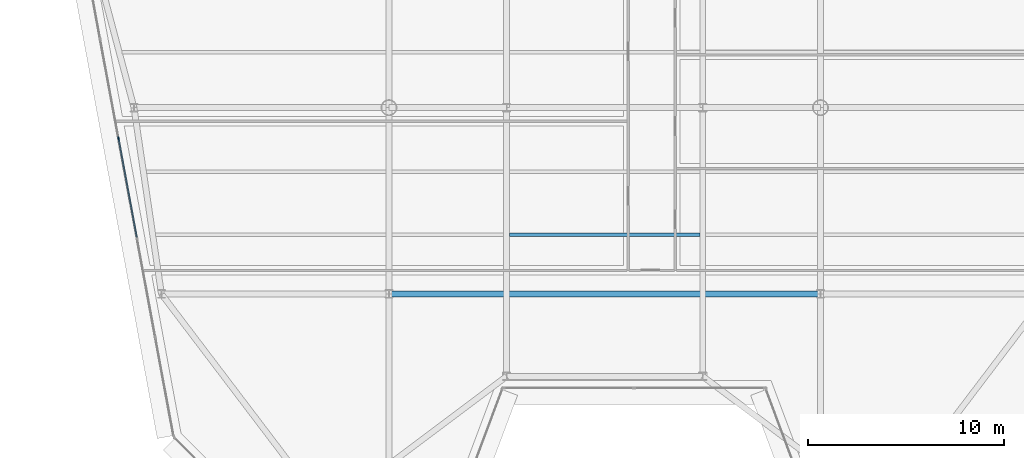
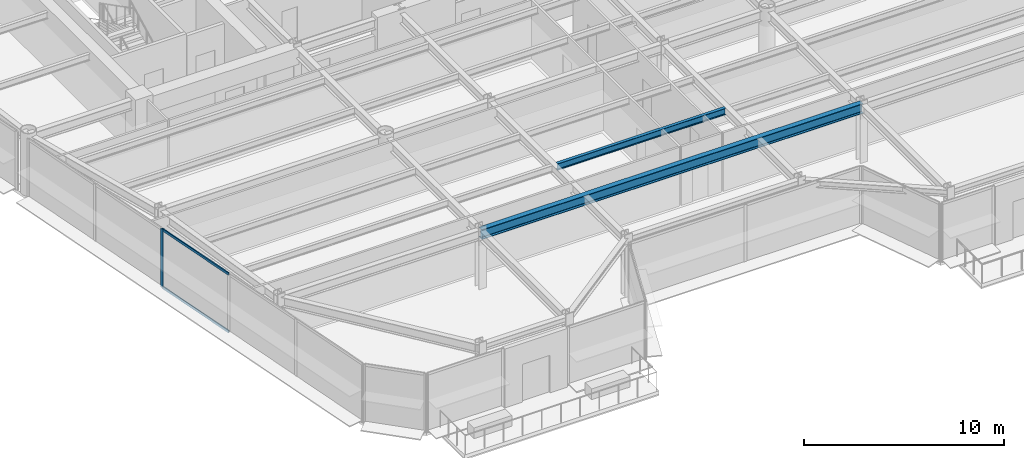
# One storey, part 3 of 16: 3 members, 2 beams, 1 element without a shape of its own.
"""IFC4 building model written with IfcOpenShell, lengths in metres."""

from ifc_helpers import new_model, si_unit, direction, frame, origin, origin_2d, place, context, subcontext, project, spatial, rectangle, i_section, extrude, source, transform, mapped, material, layer, layer_set, material_profile, profile_set, type_object, element, aggregate, save


model = new_model("IFC4")

# Units and contexts
model_context = context("Model", 3, precision=1e-05, world=origin(), true_north=direction((0.0, 1.0)))
body_context = subcontext(model_context, "Body", "Model", "MODEL_VIEW")
ifc_project = project(units=[si_unit("LENGTHUNIT", "METRE"), si_unit("AREAUNIT", "SQUARE_METRE"), si_unit("VOLUMEUNIT", "CUBIC_METRE"), si_unit("PLANEANGLEUNIT", "RADIAN"), si_unit("MASSUNIT", "GRAM", prefix="KILO")], contexts=[model_context])

# Site, building, storey
site_placement = place(None, origin())
site = spatial("IfcSite", under=ifc_project, at=site_placement, CompositionType="ELEMENT")
building_placement = place(site_placement, origin())
building = spatial("IfcBuilding", under=site, at=building_placement, Name="Vaeldorn Concourse Tower", CompositionType="ELEMENT")
storey_placement = place(building_placement, frame((0.0, 0.0, 207.0)))
storey = spatial("IfcBuildingStorey", under=building, at=storey_placement, Name="L53", CompositionType="ELEMENT", Elevation=207.0)

# Beams
ifc_material_1 = material(Name="Steel S355", Category="steel")
ifc_material_profile_1 = material_profile(ifc_material_1, i_section(OverallWidth=0.300048828125, OverallDepth=0.60009765625, WebThickness=0.015380859375, FlangeThickness=0.030029296875, FilletRadius=0.027099609375, at=origin_2d()), Name="HEB 600")
ifc_profile_set_1 = profile_set([ifc_material_profile_1], Name="Steel S355")
beam_type_1 = type_object("IfcBeamType", Name="BM-PG-HEB600", PredefinedType="BEAM", material=ifc_profile_set_1)
shared_shape_1 = source(origin(), body_context, "Body", "SweptSolid", [
    extrude(i_section(OverallWidth=0.300048828125, OverallDepth=0.60009765625, WebThickness=0.015380859375, FlangeThickness=0.030029296875, FilletRadius=0.027099609375, at=origin_2d()), origin(), (0.0, 0.0, 1.0), 22.0),
])
beam_1_placement = place(storey_placement, frame((23.0, 18.0, 3.280029296875), z_axis=(1.0, 0.0, 0.0), x_axis=(0.0, 1.0, 0.0)))
element("IfcBeam", 1, at=beam_1_placement, inside=storey, type_object=beam_type_1, Name="Beam BM-L53-C-TW5-C-TW6", PredefinedType="BEAM", context=body_context, shape_type="MappedRepresentation", body=[
    mapped(shared_shape_1, transform((0.0, 0.0, 0.0), scale=1.0)),
])
ifc_material_profile_2 = material_profile(ifc_material_1, i_section(OverallWidth=0.179931640625, OverallDepth=0.39990234375, WebThickness=0.008544921875, FlangeThickness=0.013427734375, FilletRadius=0.02099609375, at=origin_2d()), Name="IPE 400")
ifc_profile_set_2 = profile_set([ifc_material_profile_2], Name="Steel S355")
beam_type_2 = type_object("IfcBeamType", Name="BM-JS-IPE400", PredefinedType="JOIST", material=ifc_profile_set_2)
shared_shape_2 = source(origin(), body_context, "Body", "SweptSolid", [
    extrude(i_section(OverallWidth=0.179931640625, OverallDepth=0.39990234375, WebThickness=0.008544921875, FlangeThickness=0.013427734375, FilletRadius=0.02099609375, at=origin_2d()), origin(), (0.0, 0.0, 1.0), 9.7001953125),
])
beam_2_placement = place(storey_placement, frame((29.14990234375, 21.02001953125, 3.3798828125), z_axis=(1.0, 0.0, 0.0), x_axis=(0.0, 1.0, 0.0)))
element("IfcBeam", 2, at=beam_2_placement, inside=storey, type_object=beam_type_2, Name="Beam JS-L53-C-210", PredefinedType="JOIST", context=body_context, shape_type="MappedRepresentation", body=[
    mapped(shared_shape_2, transform((0.0, 0.0, 0.0), scale=1.0)),
])

# Curtain wall, members
ifc_material_2 = material(Name="Anodised Bronze Aluminium", Category="aluminium")
ifc_layer = layer(ifc_material_2, 0.2099609375)
ifc_layer_set = layer_set([ifc_layer], Name="Anodised Bronze Aluminium")
curtain_wall_type = type_object("IfcCurtainWallType", Name="CW-SYS-06", PredefinedType="NOTDEFINED", material=ifc_layer_set)
curtain_wall_placement = place(storey_placement, origin())
curtain_wall = element("IfcCurtainWall", 3, at=curtain_wall_placement, inside=storey, type_object=curtain_wall_type, Name="Unitised Curtain Wall CW-L53-E11-2", PredefinedType="NOTDEFINED")
ifc_material_profile_3 = material_profile(ifc_material_2, rectangle(XDim=0.06494140625, YDim=0.169921875, at=origin_2d()), Name="CWM 65x170")
ifc_profile_set_3 = profile_set([ifc_material_profile_3], Name="Anodised Bronze Aluminium")
member_type_1 = type_object("IfcMemberType", Name="CWM-BRONZE-170", PredefinedType="MULLION", material=ifc_profile_set_3)
shared_shape_3 = source(origin(), body_context, "Body", "SweptSolid", [
    extrude(rectangle(XDim=0.06494140625, YDim=0.169921875, at=origin_2d()), origin(), (0.0, 0.0, 1.0), 3.580078125),
])
member_1_placement = place(storey_placement, frame((9.2119140625, 25.93017578125, 0.0), z_axis=(0.0, 0.0, 1.0), x_axis=(0.983319079021, 0.181888946432, 0.0)))
member_1 = element("IfcMember", 4, at=member_1_placement, type_object=member_type_1, Name="CW-06 mullion 3", PredefinedType="MULLION", context=body_context, shape_type="MappedRepresentation", body=[
    mapped(shared_shape_3, transform((0.0, 0.0, 0.0), scale=1.0)),
])
ifc_material_profile_4 = material_profile(ifc_material_2, rectangle(XDim=0.06494140625, YDim=0.14990234375, at=origin_2d()), Name="CWT 65x150")
ifc_profile_set_4 = profile_set([ifc_material_profile_4], Name="Anodised Bronze Aluminium")
member_type_2 = type_object("IfcMemberType", Name="CWT-BRONZE-150", PredefinedType="USERDEFINED", material=ifc_profile_set_4)
shared_shape_4 = source(origin(), body_context, "Body", "SweptSolid", [
    extrude(rectangle(XDim=0.06494140625, YDim=0.14990234375, at=origin_2d()), origin(), (0.0, 0.0, 1.0), 5.097900390625),
])
member_2_placement = place(storey_placement, frame((9.2177734375, 25.898193359375, 0.032470703125), z_axis=(0.181885185048, -0.983319774773, 0.0), x_axis=(0.983319774773, 0.181885185048, 0.0)))
member_2 = element("IfcMember", 5, at=member_2_placement, type_object=member_type_2, Name="CW-06 transom 3.1", ObjectType="TRANSOM", PredefinedType="USERDEFINED", context=body_context, shape_type="MappedRepresentation", body=[
    mapped(shared_shape_4, transform((0.0, 0.0, 0.0), scale=1.0)),
])
member_3_placement = place(storey_placement, frame((9.2177734375, 25.898193359375, 3.547607421875), z_axis=(0.181885185048, -0.983319774773, 0.0), x_axis=(0.983319774773, 0.181885185048, 0.0)))
member_3 = element("IfcMember", 6, at=member_3_placement, type_object=member_type_2, Name="CW-06 transom 3.2", ObjectType="TRANSOM", PredefinedType="USERDEFINED", context=body_context, shape_type="MappedRepresentation", body=[
    mapped(shared_shape_4, transform((0.0, 0.0, 0.0), scale=1.0)),
])
aggregate(curtain_wall, [member_1, member_2, member_3])

save(model, "model.ifc")
